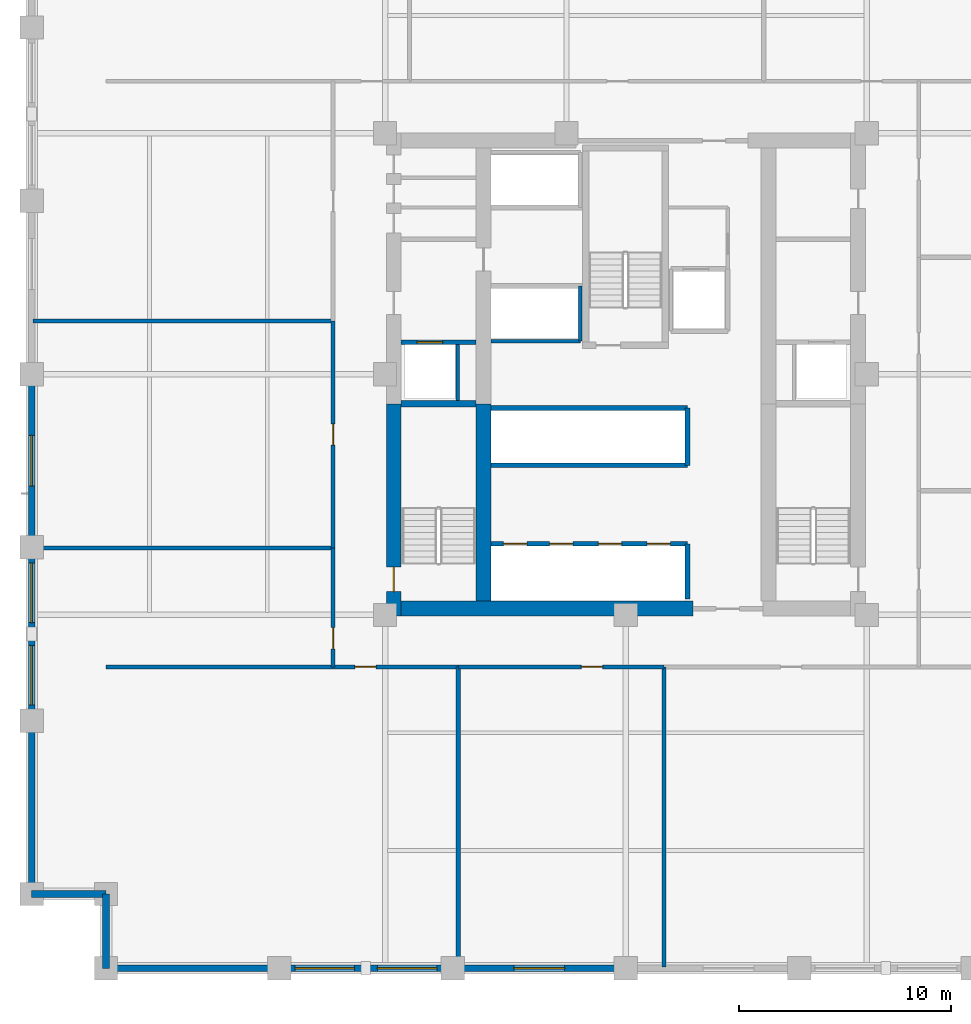
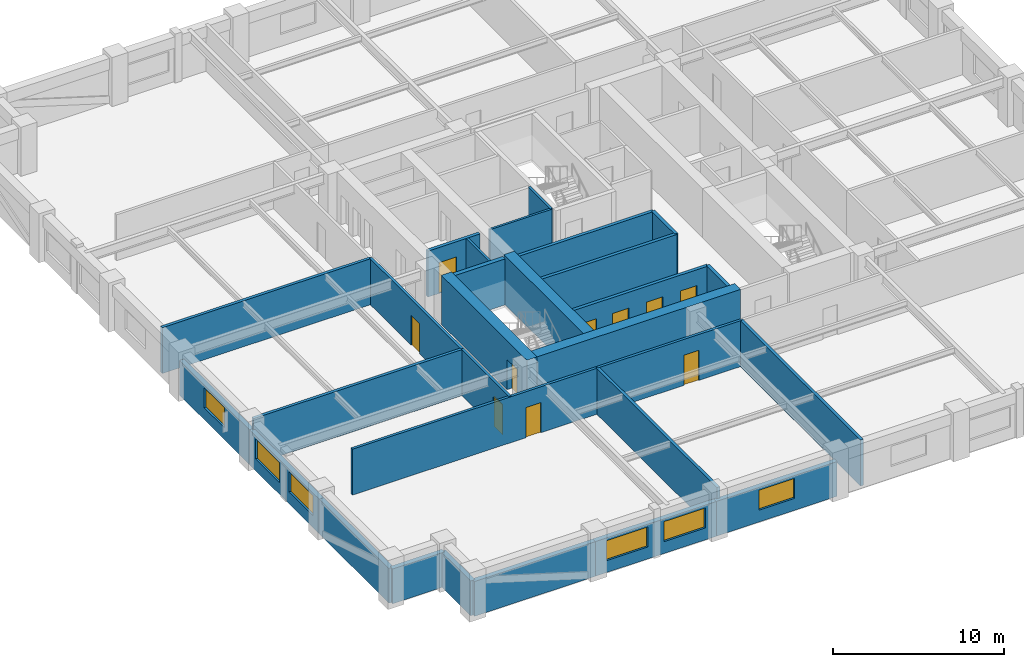
# One storey, part 7 of 13: 29 walls, 10 doors, 6 windows, 16 openings.
"""IFC4 building model written with IfcOpenShell, lengths in metres."""

import ifcopenshell
import ifcopenshell.guid

model = None  # the IFC model being written
_history = None  # IfcOwnerHistory: only IFC2X3 demands one
_inside = {}  # id of a spatial element -> (the spatial element, [elements in it])
_under = {}  # id of a project, library or spatial element -> (it, [spatial elements below it])
_declared = {}  # id of a project -> (the project, [libraries it declares])
_typed = {}  # id of a type object -> (the type object, [elements of that type])
_made_of = {}  # id of a material, layer set ... -> (it, [elements and type objects made of it])


def new_model(schema):
    """Start an empty IFC model of exactly this schema.

    Asked for "IFC4X3", IfcOpenShell would pick the latest addendum, in which some entities
    have other attributes; the version numbers below select the first issue.
    IFC2X3 requires an IfcOwnerHistory on every rooted entity: one is made here for all.
    """
    global model, _history
    if schema == "IFC4X3":
        model = ifcopenshell.file(schema_version=(4, 3, 0, 0))
    else:
        model = ifcopenshell.file(schema=schema)
    _inside.clear()
    _under.clear()
    _declared.clear()
    _typed.clear()
    _made_of.clear()
    _history = None
    if model.schema == "IFC2X3":
        org = make("IfcOrganization", Name="unknown")
        user = make(
            "IfcPersonAndOrganization",
            ThePerson=make("IfcPerson", FamilyName="unknown"),
            TheOrganization=org,
        )
        app = make(
            "IfcApplication",
            ApplicationDeveloper=org,
            Version="unknown",
            ApplicationFullName="unknown",
            ApplicationIdentifier="unknown",
        )
        _history = make(
            "IfcOwnerHistory",
            OwningUser=user,
            OwningApplication=app,
            ChangeAction="ADDED",
            CreationDate=0,
        )
    return model


def make(cls, **values):
    """One entity of the class cls with the attributes given. An attribute that is None is left unset."""
    return model.create_entity(
        cls, **{name: value for name, value in values.items() if value is not None}
    )


def rooted(cls, **values):
    """An entity with a GlobalId (a new one), such as an element, a storey or a relation."""
    return make(cls, GlobalId=ifcopenshell.guid.new(), OwnerHistory=_history, **values)


def si_unit(unit_type, name, prefix=None):
    """IfcSIUnit, for example si_unit("LENGTHUNIT", "METRE", prefix="MILLI")."""
    return make("IfcSIUnit", UnitType=unit_type, Prefix=prefix, Name=name)


def assignment(units):
    """IfcUnitAssignment: the units of a project."""
    return None if units is None else make("IfcUnitAssignment", Units=units)


def point(xyz):
    """IfcCartesianPoint."""
    return None if xyz is None else make("IfcCartesianPoint", Coordinates=xyz)


def direction(xyz):
    """IfcDirection."""
    return None if xyz is None else make("IfcDirection", DirectionRatios=xyz)


def frame(location, z_axis=None, x_axis=None):
    """IfcAxis2Placement3D, a coordinate frame: its origin and axes. An axis left out is left unset."""
    return make(
        "IfcAxis2Placement3D",
        Location=point(location),
        Axis=direction(z_axis),
        RefDirection=direction(x_axis),
    )


def frame_2d(location, x_axis=None):
    """IfcAxis2Placement2D, a coordinate frame in the plane: its origin and x axis."""
    return make(
        "IfcAxis2Placement2D", Location=point(location), RefDirection=direction(x_axis)
    )


def origin():
    """The frame at (0, 0, 0) with its axes left unset."""
    return frame((0.0, 0.0, 0.0))


def place(relative_to, where):
    """IfcLocalPlacement: puts the frame where relative to a parent placement (None: the world)."""
    return make(
        "IfcLocalPlacement", PlacementRelTo=relative_to, RelativePlacement=where
    )


def context(
    kind, dimensions, precision=None, world=None, true_north=None, identifier=None
):
    """IfcGeometricRepresentationContext, for example the 3D "Model" context."""
    return make(
        "IfcGeometricRepresentationContext",
        ContextIdentifier=identifier,
        ContextType=kind,
        CoordinateSpaceDimension=dimensions,
        Precision=precision,
        WorldCoordinateSystem=world,
        TrueNorth=true_north,
    )


def subcontext(parent, identifier, kind, view, scale=None):
    """IfcGeometricRepresentationSubContext, for example "Body" below "Model"."""
    return make(
        "IfcGeometricRepresentationSubContext",
        ContextIdentifier=identifier,
        ContextType=kind,
        ParentContext=parent,
        TargetScale=scale,
        TargetView=view,
    )


def project(units=None, contexts=None):
    """IfcProject with its units and contexts."""
    return rooted(
        "IfcProject",
        Name="project",
        RepresentationContexts=contexts,
        UnitsInContext=assignment(units),
    )


def spatial(cls, under=None, at=None, **own):
    """A site, building, storey or space (cls), placed at a placement, below another one or the project."""
    s = rooted(cls, ObjectPlacement=at, **own)
    if under is not None:
        _under.setdefault(under.id(), (under, []))[1].append(s)
    return s


def profile(cls, at=None, kind="AREA", **sizes):
    """A parametric profile (cls). Its sizes go by their IFC names, for example OverallWidth=200.0."""
    return make(cls, ProfileType=kind, Position=at, **sizes)


def rectangle(**sizes):
    """IfcRectangleProfileDef."""
    return profile("IfcRectangleProfileDef", **sizes)


def extrude(swept, where, along, depth):
    """IfcExtrudedAreaSolid: the profile swept, set in the frame where, extruded along a direction by depth."""
    return make(
        "IfcExtrudedAreaSolid",
        SweptArea=swept,
        Position=where,
        ExtrudedDirection=direction(along),
        Depth=depth,
    )


def shape(context_of_items, identifier, shape_type, items):
    """IfcShapeRepresentation: the items that make up one representation, for example the "Body"."""
    return make(
        "IfcShapeRepresentation",
        ContextOfItems=context_of_items,
        RepresentationIdentifier=identifier,
        RepresentationType=shape_type,
        Items=items,
    )


def material(Name=None, Category=None):
    """IfcMaterial."""
    return make("IfcMaterial", Name=Name, Category=Category)


def layer(
    of_material, thickness, ventilated=None, Name=None, Category=None, Priority=None
):
    """IfcMaterialLayer: one layer of a wall or slab, of a material (None: an air gap)."""
    return make(
        "IfcMaterialLayer",
        Material=of_material,
        LayerThickness=thickness,
        IsVentilated=ventilated,
        Name=Name,
        Category=Category,
        Priority=Priority,
    )


def layer_set(layers, Name=None):
    """IfcMaterialLayerSet."""
    return make("IfcMaterialLayerSet", MaterialLayers=layers, LayerSetName=Name)


def made_of(thing, what):
    """Note that an element or type object is made of a material, layer set ...; save() writes the relation."""
    if what is not None:
        _made_of.setdefault(what.id(), (what, []))[1].append(thing)
    return thing


def type_object(cls, material=None, **own):
    """A type object (cls), such as IfcWallType, which elements share."""
    return made_of(rooted(cls, **own), material)


def element(
    cls,
    number,
    at=None,
    inside=None,
    cuts=None,
    type_object=None,
    material=None,
    context=None,
    identifier="Body",
    shape_type=None,
    held_by="IfcProductDefinitionShape",
    body=None,
    shapes=None,
    **own,
):
    """One element of the class cls, such as IfcWall. Its Tag is "e" and its number.

    at: its placement. inside: the storey or other place that contains it. cuts: it is an
    opening in that element (IfcRelVoidsElement). A single representation is given by context,
    identifier, shape_type and body (its items); several are given by shapes. held_by: the class
    of the entity that holds the representations. save() writes the other relations.
    """
    e = rooted(cls, Tag="e%d" % number, ObjectPlacement=at, **own)
    if body is not None:
        shapes = [shape(context, identifier, shape_type, body)]
    if shapes is not None:
        e.Representation = make(held_by, Representations=shapes)
    if inside is not None:
        _inside.setdefault(inside.id(), (inside, []))[1].append(e)
    if cuts is not None:
        rooted(
            "IfcRelVoidsElement", RelatingBuildingElement=cuts, RelatedOpeningElement=e
        )
    if type_object is not None:
        _typed.setdefault(type_object.id(), (type_object, []))[1].append(e)
    return made_of(e, material)


def fill(opening, filler):
    """IfcRelFillsElement: the door or window that sits in an opening."""
    return rooted(
        "IfcRelFillsElement",
        RelatingOpeningElement=opening,
        RelatedBuildingElement=filler,
    )


def aggregate(whole, parts):
    """IfcRelAggregates: a whole, such as a stair, and the parts it consists of."""
    return rooted("IfcRelAggregates", RelatingObject=whole, RelatedObjects=parts)


def save(model, path):
    """Write the relations noted so far, then the file.

    IfcRelAggregates (storeys below a building ...), IfcRelContainedInSpatialStructure (elements
    in a storey), IfcRelDefinesByType, IfcRelAssociatesMaterial and IfcRelDeclares: one each for
    every whole, place, type object, material and project.
    """
    for whole, parts in _under.values():
        aggregate(whole, parts)
    for where, things in _inside.values():
        rooted(
            "IfcRelContainedInSpatialStructure",
            RelatedElements=things,
            RelatingStructure=where,
        )
    for kind, things in _typed.values():
        rooted("IfcRelDefinesByType", RelatedObjects=things, RelatingType=kind)
    for what, things in _made_of.values():
        rooted("IfcRelAssociatesMaterial", RelatedObjects=things, RelatingMaterial=what)
    for by, libraries in _declared.values():
        rooted("IfcRelDeclares", RelatingContext=by, RelatedDefinitions=libraries)
    model.write(path)


model = new_model("IFC4")

# Units and contexts
model_context = context("Model", 3, precision=1e-05, world=origin(), true_north=direction((0.0, 1.0)))
body_context = subcontext(model_context, "Body", "Model", "MODEL_VIEW")
ifc_project = project(units=[si_unit("LENGTHUNIT", "METRE"), si_unit("AREAUNIT", "SQUARE_METRE"), si_unit("VOLUMEUNIT", "CUBIC_METRE"), si_unit("PLANEANGLEUNIT", "RADIAN"), si_unit("MASSUNIT", "GRAM", prefix="KILO")], contexts=[model_context])

# Site, building, storey
site_placement = place(None, origin())
site = spatial("IfcSite", under=ifc_project, at=site_placement, CompositionType="ELEMENT")
building_placement = place(site_placement, origin())
building = spatial("IfcBuilding", under=site, at=building_placement, Name="Nhamokura Convention Tower", CompositionType="ELEMENT")
storey_placement = place(building_placement, frame((0.0, 0.0, 92.75)))
storey = spatial("IfcBuildingStorey", under=building, at=storey_placement, Name="L22", CompositionType="ELEMENT", Elevation=92.75)

# Wall
ifc_material_1 = material(Name="Bronze-pigmented precast concrete C45/55", Category="concrete")
ifc_layer_1 = layer(ifc_material_1, 0.320068359375)
ifc_layer_set_1 = layer_set([ifc_layer_1], Name="BronzePrecastSpandrel_320")
wall_type_1 = type_object("IfcWallType", Name="BronzePrecastSpandrel_320", PredefinedType="USERDEFINED", material=ifc_layer_set_1)
wall_1_placement = place(storey_placement, frame((15.666748046875, 4.0, 0.0), z_axis=(0.0, 0.0, 1.0), x_axis=(-1.0, 0.0, 0.0)))
element("IfcWall", 1, at=wall_1_placement, inside=storey, type_object=wall_type_1, Name="L22 Braced-Bay Precast Wall SOUTH 0", ObjectType="SPANDREL_WALL", PredefinedType="USERDEFINED", context=body_context, shape_type="SweptSolid", body=[
    extrude(rectangle(XDim=8.166748046875, YDim=0.320068359375, at=frame_2d((4.08349609375, 0.0))), origin(), (0.0, 0.0, 1.0), 2.47998046875),
])

# Wall, openings, windows
wall_2_placement = place(storey_placement, frame((23.833251953125, 4.0, 0.0), z_axis=(0.0, 0.0, 1.0), x_axis=(-1.0, 0.0, 0.0)))
wall_2 = element("IfcWall", 2, at=wall_2_placement, inside=storey, type_object=wall_type_1, Name="L22 Masonry-Frame Wall SOUTH 1", ObjectType="SPANDREL_WALL", PredefinedType="USERDEFINED", context=body_context, shape_type="SweptSolid", body=[
    extrude(rectangle(XDim=8.16650390625, YDim=0.320068359375, at=frame_2d((4.083251953125, 0.0))), origin(), (0.0, 0.0, 1.0), 2.47998046875),
])
opening_1_placement = place(wall_2_placement, frame((0.74169921875, 0.0, 0.85009765625)))
opening_1 = element("IfcOpeningElement", 3, at=opening_1_placement, cuts=wall_2, Name="Opening W-04", PredefinedType="OPENING", context=body_context, shape_type="SweptSolid", body=[
    extrude(rectangle(XDim=2.800048828125, YDim=1.429931640625, at=frame_2d((1.39990234375, 0.71484375))), frame((0.0, 0.169921875, 0.0), z_axis=(0.0, -1.0, 0.0), x_axis=(1.0, 0.0, 0.0)), (0.0, 0.0, 1.0), 0.340087890625),
])
opening_2_placement = place(wall_2_placement, frame((4.625, 0.0, 0.85009765625)))
opening_2 = element("IfcOpeningElement", 4, at=opening_2_placement, cuts=wall_2, Name="Opening W-04", PredefinedType="OPENING", context=body_context, shape_type="SweptSolid", body=[
    extrude(rectangle(XDim=2.800048828125, YDim=1.429931640625, at=frame_2d((1.39990234375, 0.71484375))), frame((0.0, 0.169921875, 0.0), z_axis=(0.0, -1.0, 0.0), x_axis=(1.0, 0.0, 0.0)), (0.0, 0.0, 1.0), 0.340087890625),
])
ifc_material_2 = material(Name="Solar-control bronze low-E double glass", Category="glass")
window_type_1 = type_object("IfcWindowType", Name="HotelSuiteWindow_2800", PartitioningType="DOUBLE_PANEL_VERTICAL", PredefinedType="WINDOW", material=ifc_material_2)
window_1_placement = place(opening_1_placement, origin())
window_1 = element("IfcWindow", 5, at=window_1_placement, inside=storey, type_object=window_type_1, Name="L22 Facade Window SOUTH 1-1", OverallHeight=1.429931640625, OverallWidth=2.800048828125, PartitioningType="SINGLE_PANEL", PredefinedType="WINDOW", context=body_context, shape_type="SweptSolid", body=[
    extrude(rectangle(XDim=2.800048828125, YDim=1.429931640625, at=frame_2d((1.39990234375, 0.71484375))), frame((0.0, 0.030029296875, 0.0), z_axis=(0.0, -1.0, 0.0), x_axis=(1.0, 0.0, 0.0)), (0.0, 0.0, 1.0), 0.06005859375),
])
fill(opening_1, window_1)
window_2_placement = place(opening_2_placement, origin())
window_2 = element("IfcWindow", 6, at=window_2_placement, inside=storey, type_object=window_type_1, Name="L22 Facade Window SOUTH 1-2", OverallHeight=1.429931640625, OverallWidth=2.800048828125, PartitioningType="SINGLE_PANEL", PredefinedType="WINDOW", context=body_context, shape_type="SweptSolid", body=[
    extrude(rectangle(XDim=2.800048828125, YDim=1.429931640625, at=frame_2d((1.39990234375, 0.71484375))), frame((0.0, 0.030029296875, 0.0), z_axis=(0.0, -1.0, 0.0), x_axis=(1.0, 0.0, 0.0)), (0.0, 0.0, 1.0), 0.06005859375),
])
fill(opening_2, window_2)

# Wall, opening, window
wall_3_placement = place(storey_placement, frame((32.0, 4.0, 0.0), z_axis=(0.0, 0.0, 1.0), x_axis=(-1.0, 0.0, 0.0)))
wall_3 = element("IfcWall", 7, at=wall_3_placement, inside=storey, type_object=wall_type_1, Name="L22 Masonry-Frame Wall SOUTH 2", ObjectType="SPANDREL_WALL", PredefinedType="USERDEFINED", context=body_context, shape_type="SweptSolid", body=[
    extrude(rectangle(XDim=8.166748046875, YDim=0.320068359375, at=frame_2d((4.08349609375, 0.0))), origin(), (0.0, 0.0, 1.0), 2.47998046875),
])
opening_3_placement = place(wall_3_placement, frame((2.88330078125, 0.0, 0.85009765625)))
opening_3 = element("IfcOpeningElement", 8, at=opening_3_placement, cuts=wall_3, Name="Opening W-03", PredefinedType="OPENING", context=body_context, shape_type="SweptSolid", body=[
    extrude(rectangle(XDim=2.39990234375, YDim=1.429931640625, at=frame_2d((1.199951171875, 0.71484375))), frame((0.0, 0.169921875, 0.0), z_axis=(0.0, -1.0, 0.0), x_axis=(1.0, 0.0, 0.0)), (0.0, 0.0, 1.0), 0.340087890625),
])
ifc_material_3 = material(Name="Solar-control bronze low-E double glass", Category="glass")
window_type_2 = type_object("IfcWindowType", Name="HotelBayWindow_2400", PartitioningType="DOUBLE_PANEL_VERTICAL", PredefinedType="WINDOW", material=ifc_material_3)
window_3_placement = place(opening_3_placement, origin())
window_3 = element("IfcWindow", 9, at=window_3_placement, inside=storey, type_object=window_type_2, Name="L22 Facade Window SOUTH 2", OverallHeight=1.429931640625, OverallWidth=2.39990234375, PartitioningType="SINGLE_PANEL", PredefinedType="WINDOW", context=body_context, shape_type="SweptSolid", body=[
    extrude(rectangle(XDim=2.39990234375, YDim=1.429931640625, at=frame_2d((1.199951171875, 0.71484375))), frame((0.0, 0.030029296875, 0.0), z_axis=(0.0, -1.0, 0.0), x_axis=(1.0, 0.0, 0.0)), (0.0, 0.0, 1.0), 0.06005859375),
])
fill(opening_3, window_3)

# Wall
wall_4_placement = place(storey_placement, frame((4.0, 7.5, 0.0), z_axis=(0.0, 0.0, 1.0), x_axis=(0.0, 1.0, 0.0)))
element("IfcWall", 10, at=wall_4_placement, inside=storey, type_object=wall_type_1, Name="L22 Braced-Bay Precast Wall WEST 0", ObjectType="SPANDREL_WALL", PredefinedType="USERDEFINED", context=body_context, shape_type="SweptSolid", body=[
    extrude(rectangle(XDim=8.166748046875, YDim=0.320068359375, at=frame_2d((4.08349609375, 0.0))), origin(), (0.0, 0.0, 1.0), 2.47998046875),
])

# Wall, openings, windows
wall_5_placement = place(storey_placement, frame((4.0, 15.666748046875, 0.0), z_axis=(0.0, 0.0, 1.0), x_axis=(0.0, 1.0, 0.0)))
wall_5 = element("IfcWall", 11, at=wall_5_placement, inside=storey, type_object=wall_type_1, Name="L22 Masonry-Frame Wall WEST 1", ObjectType="SPANDREL_WALL", PredefinedType="USERDEFINED", context=body_context, shape_type="SweptSolid", body=[
    extrude(rectangle(XDim=8.16650390625, YDim=0.320068359375, at=frame_2d((4.083251953125, 0.0))), origin(), (0.0, 0.0, 1.0), 2.47998046875),
])
opening_4_placement = place(wall_5_placement, frame((0.74169921875, 0.0, 0.85009765625)))
opening_4 = element("IfcOpeningElement", 12, at=opening_4_placement, cuts=wall_5, Name="Opening W-04", PredefinedType="OPENING", context=body_context, shape_type="SweptSolid", body=[
    extrude(rectangle(XDim=2.800048828125, YDim=1.429931640625, at=frame_2d((1.39990234375, 0.71484375))), frame((0.0, 0.169921875, 0.0), z_axis=(0.0, -1.0, 0.0), x_axis=(1.0, 0.0, 0.0)), (0.0, 0.0, 1.0), 0.340087890625),
])
opening_5_placement = place(wall_5_placement, frame((4.625, 0.0, 0.85009765625)))
opening_5 = element("IfcOpeningElement", 13, at=opening_5_placement, cuts=wall_5, Name="Opening W-04", PredefinedType="OPENING", context=body_context, shape_type="SweptSolid", body=[
    extrude(rectangle(XDim=2.800048828125, YDim=1.429931640625, at=frame_2d((1.39990234375, 0.71484375))), frame((0.0, 0.169921875, 0.0), z_axis=(0.0, -1.0, 0.0), x_axis=(1.0, 0.0, 0.0)), (0.0, 0.0, 1.0), 0.340087890625),
])
window_4_placement = place(opening_4_placement, origin())
window_4 = element("IfcWindow", 14, at=window_4_placement, inside=storey, type_object=window_type_1, Name="L22 Facade Window WEST 1-1", OverallHeight=1.429931640625, OverallWidth=2.800048828125, PartitioningType="SINGLE_PANEL", PredefinedType="WINDOW", context=body_context, shape_type="SweptSolid", body=[
    extrude(rectangle(XDim=2.800048828125, YDim=1.429931640625, at=frame_2d((1.39990234375, 0.71484375))), frame((0.0, 0.030029296875, 0.0), z_axis=(0.0, -1.0, 0.0), x_axis=(1.0, 0.0, 0.0)), (0.0, 0.0, 1.0), 0.06005859375),
])
fill(opening_4, window_4)
window_5_placement = place(opening_5_placement, origin())
window_5 = element("IfcWindow", 15, at=window_5_placement, inside=storey, type_object=window_type_1, Name="L22 Facade Window WEST 1-2", OverallHeight=1.429931640625, OverallWidth=2.800048828125, PartitioningType="SINGLE_PANEL", PredefinedType="WINDOW", context=body_context, shape_type="SweptSolid", body=[
    extrude(rectangle(XDim=2.800048828125, YDim=1.429931640625, at=frame_2d((1.39990234375, 0.71484375))), frame((0.0, 0.030029296875, 0.0), z_axis=(0.0, -1.0, 0.0), x_axis=(1.0, 0.0, 0.0)), (0.0, 0.0, 1.0), 0.06005859375),
])
fill(opening_5, window_5)

# Wall, opening, window
wall_6_placement = place(storey_placement, frame((4.0, 23.833251953125, 0.0), z_axis=(0.0, 0.0, 1.0), x_axis=(0.0, 1.0, 0.0)))
wall_6 = element("IfcWall", 16, at=wall_6_placement, inside=storey, type_object=wall_type_1, Name="L22 Masonry-Frame Wall WEST 2", ObjectType="SPANDREL_WALL", PredefinedType="USERDEFINED", context=body_context, shape_type="SweptSolid", body=[
    extrude(rectangle(XDim=8.166748046875, YDim=0.320068359375, at=frame_2d((4.08349609375, 0.0))), origin(), (0.0, 0.0, 1.0), 2.47998046875),
])
opening_6_placement = place(wall_6_placement, frame((2.88330078125, 0.0, 0.85009765625)))
opening_6 = element("IfcOpeningElement", 17, at=opening_6_placement, cuts=wall_6, Name="Opening W-03", PredefinedType="OPENING", context=body_context, shape_type="SweptSolid", body=[
    extrude(rectangle(XDim=2.39990234375, YDim=1.429931640625, at=frame_2d((1.199951171875, 0.71484375))), frame((0.0, 0.169921875, 0.0), z_axis=(0.0, -1.0, 0.0), x_axis=(1.0, 0.0, 0.0)), (0.0, 0.0, 1.0), 0.340087890625),
])
window_6_placement = place(opening_6_placement, origin())
window_6 = element("IfcWindow", 18, at=window_6_placement, inside=storey, type_object=window_type_2, Name="L22 Facade Window WEST 2", OverallHeight=1.429931640625, OverallWidth=2.39990234375, PartitioningType="SINGLE_PANEL", PredefinedType="WINDOW", context=body_context, shape_type="SweptSolid", body=[
    extrude(rectangle(XDim=2.39990234375, YDim=1.429931640625, at=frame_2d((1.199951171875, 0.71484375))), frame((0.0, 0.030029296875, 0.0), z_axis=(0.0, -1.0, 0.0), x_axis=(1.0, 0.0, 0.0)), (0.0, 0.0, 1.0), 0.06005859375),
])
fill(opening_6, window_6)

# Walls
for number, where, z_axis, x_axis, name in (
    (19, (7.5, 4.0, 0.0), (0.0, 0.0, 1.0), (0.0, 1.0, 0.0), "L22 Notched Corner Wall SW1"),
    (20, (7.5, 7.5, 0.0), (0.0, 0.0, 1.0), (-1.0, 0.0, 0.0), "L22 Notched Corner Wall SW2"),
):
    element("IfcWall", number, at=place(storey_placement, frame(where, z_axis=z_axis, x_axis=x_axis)), inside=storey, type_object=wall_type_1, Name=name, ObjectType="SPANDREL_WALL", PredefinedType="USERDEFINED", context=body_context, shape_type="SweptSolid", body=[
        extrude(rectangle(XDim=3.5, YDim=0.320068359375, at=frame_2d((1.75, 0.0))), origin(), (0.0, 0.0, 1.0), 2.47998046875),
    ])

# Wall, opening, door
ifc_material_4 = material(Name="Concrete C70/85", Category="concrete")
ifc_layer_2 = layer(ifc_material_4, 0.699951171875)
ifc_layer_set_2 = layer_set([ifc_layer_2], Name="CoreShearWall_700")
wall_type_2 = type_object("IfcWallType", Name="CoreShearWall_700", PredefinedType="SHEAR", material=ifc_layer_set_2)
wall_7_placement = place(storey_placement, frame((21.06005859375, 20.60009765625, 0.0), z_axis=(0.0, 0.0, 1.0), x_axis=(0.0, 1.0, 0.0)))
wall_7 = element("IfcWall", 21, at=wall_7_placement, inside=storey, type_object=wall_type_2, Name="L22 Core Shear Wall CW-WS", PredefinedType="SHEAR", context=body_context, shape_type="SweptSolid", body=[
    extrude(rectangle(XDim=10.0, YDim=0.699951171875, at=frame_2d((5.0, 0.0))), origin(), (0.0, 0.0, 1.0), 3.5),
])
opening_7_placement = place(wall_7_placement, frame((1.14990234375, 0.0, 0.0)))
opening_7 = element("IfcOpeningElement", 22, at=opening_7_placement, cuts=wall_7, Name="Opening D-04", PredefinedType="OPENING", context=body_context, shape_type="SweptSolid", body=[
    extrude(rectangle(XDim=1.14990234375, YDim=2.14990234375, at=frame_2d((0.574951171875, 1.074951171875))), frame((0.0, 0.35986328125, 0.0), z_axis=(0.0, -1.0, 0.0), x_axis=(1.0, 0.0, 0.0)), (0.0, 0.0, 1.0), 0.719970703125),
])
ifc_material_5 = material(Name="Fire-rated steel door", Category="steel")
door_type_1 = type_object("IfcDoorType", Name="StairSmokeDoor_1150", OperationType="NOTDEFINED", PredefinedType="DOOR", material=ifc_material_5)
door_1_placement = place(opening_7_placement, origin())
door_1 = element("IfcDoor", 23, at=door_1_placement, inside=storey, type_object=door_type_1, Name="L22 Core Door INT-L22-D-ST01", OperationType="SINGLE_SWING_LEFT", OverallHeight=2.14990234375, OverallWidth=1.14990234375, PredefinedType="DOOR", context=body_context, shape_type="SweptSolid", body=[
    extrude(rectangle(XDim=1.14990234375, YDim=2.14990234375, at=frame_2d((0.574951171875, 1.074951171875))), frame((0.0, 0.02490234375, 0.0), z_axis=(0.0, -1.0, 0.0), x_axis=(1.0, 0.0, 0.0)), (0.0, 0.0, 1.0), 0.050048828125),
])
fill(opening_7, door_1)

# Walls
wall_8_placement = place(storey_placement, frame((21.409912109375, 20.949951171875, 0.0), z_axis=(0.0, 0.0, 1.0), x_axis=(1.0, 0.0, 0.0)))
element("IfcWall", 24, at=wall_8_placement, inside=storey, type_object=wall_type_2, Name="L22 Core Shear Wall CW-S1", PredefinedType="SHEAR", context=body_context, shape_type="SweptSolid", body=[
    extrude(rectangle(XDim=13.739990234375, YDim=0.699951171875, at=frame_2d((6.8701171875, 0.0))), origin(), (0.0, 0.0, 1.0), 3.5),
])
wall_9_placement = place(storey_placement, frame((25.2900390625, 21.300048828125, 0.0), z_axis=(0.0, 0.0, 1.0), x_axis=(0.0, 1.0, 0.0)))
element("IfcWall", 25, at=wall_9_placement, inside=storey, type_object=wall_type_2, Name="L22 Core Shear Wall CW-IWS", PredefinedType="SHEAR", context=body_context, shape_type="SweptSolid", body=[
    extrude(rectangle(XDim=9.300048828125, YDim=0.699951171875, at=frame_2d((4.64990234375, 0.0))), origin(), (0.0, 0.0, 1.0), 3.5),
])

# Wall, opening, door
ifc_material_6 = material(Name="Fire-rated gypsum and masonry partition", Category="masonry")
ifc_layer_3 = layer(ifc_material_6, 0.179931640625)
ifc_layer_set_3 = layer_set([ifc_layer_3], Name="CorridorRatedWall_180")
wall_type_3 = type_object("IfcWallType", Name="CorridorRatedWall_180", PredefinedType="STANDARD", material=ifc_layer_set_3)
wall_10_placement = place(storey_placement, frame((7.5, 18.199951171875, 0.0), z_axis=(0.0, 0.0, 1.0), x_axis=(1.0, 0.0, 0.0)))
wall_10 = element("IfcWall", 26, at=wall_10_placement, inside=storey, type_object=wall_type_3, Name="L22 Wall INT-L22-CW-S00", PredefinedType="STANDARD", context=body_context, shape_type="SweptSolid", body=[
    extrude(rectangle(XDim=16.60009765625, YDim=0.179931640625, at=frame_2d((8.300048828125, 0.0))), origin(), (0.0, 0.0, 1.0), 3.280029296875),
])
opening_8_placement = place(wall_10_placement, frame((11.72509765625, 0.0, 0.0)))
opening_8 = element("IfcOpeningElement", 27, at=opening_8_placement, cuts=wall_10, Name="Opening D-07", PredefinedType="OPENING", context=body_context, shape_type="SweptSolid", body=[
    extrude(rectangle(XDim=1.0, YDim=2.14990234375, at=frame_2d((0.5, 1.074951171875))), frame((0.0, 0.099853515625, 0.0), z_axis=(0.0, -1.0, 0.0), x_axis=(1.0, 0.0, 0.0)), (0.0, 0.0, 1.0), 0.199951171875),
])
ifc_material_7 = material(Name="Solid oak hardwood", Category="wood")
door_type_2 = type_object("IfcDoorType", Name="HotelSuiteEntryDoor_1000", OperationType="NOTDEFINED", PredefinedType="DOOR", material=ifc_material_7)
door_2_placement = place(opening_8_placement, origin())
door_2 = element("IfcDoor", 28, at=door_2_placement, inside=storey, type_object=door_type_2, Name="L22 Conference Salon S01 Door", OperationType="SINGLE_SWING_LEFT", OverallHeight=2.14990234375, OverallWidth=1.0, PredefinedType="DOOR", context=body_context, shape_type="SweptSolid", body=[
    extrude(rectangle(XDim=1.0, YDim=2.14990234375, at=frame_2d((0.5, 1.074951171875))), frame((0.0, 0.02490234375, 0.0), z_axis=(0.0, -1.0, 0.0), x_axis=(1.0, 0.0, 0.0)), (0.0, 0.0, 1.0), 0.050048828125),
])
fill(opening_8, door_2)

wall_11_placement = place(storey_placement, frame((24.10009765625, 18.199951171875, 0.0), z_axis=(0.0, 0.0, 1.0), x_axis=(1.0, 0.0, 0.0)))
wall_11 = element("IfcWall", 29, at=wall_11_placement, inside=storey, type_object=wall_type_3, Name="L22 Wall INT-L22-CW-S01", PredefinedType="STANDARD", context=body_context, shape_type="SweptSolid", body=[
    extrude(rectangle(XDim=9.699951171875, YDim=0.179931640625, at=frame_2d((4.85009765625, 0.0))), origin(), (0.0, 0.0, 1.0), 3.280029296875),
])
opening_9_placement = place(wall_11_placement, frame((5.800048828125, 0.0, 0.0)))
opening_9 = element("IfcOpeningElement", 30, at=opening_9_placement, cuts=wall_11, Name="Opening D-07", PredefinedType="OPENING", context=body_context, shape_type="SweptSolid", body=[
    extrude(rectangle(XDim=1.0, YDim=2.14990234375, at=frame_2d((0.5, 1.074951171875))), frame((0.0, 0.099853515625, 0.0), z_axis=(0.0, -1.0, 0.0), x_axis=(1.0, 0.0, 0.0)), (0.0, 0.0, 1.0), 0.199951171875),
])
door_3_placement = place(opening_9_placement, origin())
door_3 = element("IfcDoor", 31, at=door_3_placement, inside=storey, type_object=door_type_2, Name="L22 Security Office S02 Door", OperationType="SINGLE_SWING_RIGHT", OverallHeight=2.14990234375, OverallWidth=1.0, PredefinedType="DOOR", context=body_context, shape_type="SweptSolid", body=[
    extrude(rectangle(XDim=1.0, YDim=2.14990234375, at=frame_2d((0.5, 1.074951171875))), frame((0.0, 0.02490234375, 0.0), z_axis=(0.0, -1.0, 0.0), x_axis=(1.0, 0.0, 0.0)), (0.0, 0.0, 1.0), 0.050048828125),
])
fill(opening_9, door_3)

wall_12_placement = place(storey_placement, frame((18.199951171875, 18.199951171875, 0.0), z_axis=(0.0, 0.0, 1.0), x_axis=(0.0, 1.0, 0.0)))
wall_12 = element("IfcWall", 32, at=wall_12_placement, inside=storey, type_object=wall_type_3, Name="L22 Wall INT-L22-CW-W00", PredefinedType="STANDARD", context=body_context, shape_type="SweptSolid", body=[
    extrude(rectangle(XDim=5.60009765625, YDim=0.179931640625, at=frame_2d((2.800048828125, 0.0))), origin(), (0.0, 0.0, 1.0), 3.280029296875),
])
opening_10_placement = place(wall_12_placement, frame((0.85009765625, 0.0, 0.0)))
opening_10 = element("IfcOpeningElement", 33, at=opening_10_placement, cuts=wall_12, Name="Opening D-07", PredefinedType="OPENING", context=body_context, shape_type="SweptSolid", body=[
    extrude(rectangle(XDim=1.0, YDim=2.14990234375, at=frame_2d((0.5, 1.074951171875))), frame((0.0, 0.099853515625, 0.0), z_axis=(0.0, -1.0, 0.0), x_axis=(1.0, 0.0, 0.0)), (0.0, 0.0, 1.0), 0.199951171875),
])
door_4_placement = place(opening_10_placement, origin())
door_4 = element("IfcDoor", 34, at=door_4_placement, inside=storey, type_object=door_type_2, Name="L22 Meeting Room W01 Door", OperationType="SINGLE_SWING_LEFT", OverallHeight=2.14990234375, OverallWidth=1.0, PredefinedType="DOOR", context=body_context, shape_type="SweptSolid", body=[
    extrude(rectangle(XDim=1.0, YDim=2.14990234375, at=frame_2d((0.5, 1.074951171875))), frame((0.0, 0.02490234375, 0.0), z_axis=(0.0, -1.0, 0.0), x_axis=(1.0, 0.0, 0.0)), (0.0, 0.0, 1.0), 0.050048828125),
])
fill(opening_10, door_4)

wall_13_placement = place(storey_placement, frame((18.199951171875, 23.800048828125, 0.0), z_axis=(0.0, 0.0, 1.0), x_axis=(0.0, 1.0, 0.0)))
wall_13 = element("IfcWall", 35, at=wall_13_placement, inside=storey, type_object=wall_type_3, Name="L22 Wall INT-L22-CW-W01", PredefinedType="STANDARD", context=body_context, shape_type="SweptSolid", body=[
    extrude(rectangle(XDim=10.699951171875, YDim=0.179931640625, at=frame_2d((5.35009765625, 0.0))), origin(), (0.0, 0.0, 1.0), 3.280029296875),
])
opening_11_placement = place(wall_13_placement, frame((4.85009765625, 0.0, 0.0)))
opening_11 = element("IfcOpeningElement", 36, at=opening_11_placement, cuts=wall_13, Name="Opening D-07", PredefinedType="OPENING", context=body_context, shape_type="SweptSolid", body=[
    extrude(rectangle(XDim=1.0, YDim=2.14990234375, at=frame_2d((0.5, 1.074951171875))), frame((0.0, 0.099853515625, 0.0), z_axis=(0.0, -1.0, 0.0), x_axis=(1.0, 0.0, 0.0)), (0.0, 0.0, 1.0), 0.199951171875),
])
door_5_placement = place(opening_11_placement, origin())
door_5 = element("IfcDoor", 37, at=door_5_placement, inside=storey, type_object=door_type_2, Name="L22 Conference Salon W02 Door", OperationType="SINGLE_SWING_RIGHT", OverallHeight=2.14990234375, OverallWidth=1.0, PredefinedType="DOOR", context=body_context, shape_type="SweptSolid", body=[
    extrude(rectangle(XDim=1.0, YDim=2.14990234375, at=frame_2d((0.5, 1.074951171875))), frame((0.0, 0.02490234375, 0.0), z_axis=(0.0, -1.0, 0.0), x_axis=(1.0, 0.0, 0.0)), (0.0, 0.0, 1.0), 0.050048828125),
])
fill(opening_11, door_5)

ifc_material_8 = material(Name="Autoclaved concrete blockwork", Category="masonry")
ifc_layer_4 = layer(ifc_material_8, 0.219970703125)
ifc_layer_set_4 = layer_set([ifc_layer_4], Name="FireLobbyWall_220")
wall_type_4 = type_object("IfcWallType", Name="FireLobbyWall_220", PredefinedType="STANDARD", material=ifc_layer_set_4)
wall_14_placement = place(storey_placement, frame((21.409912109375, 33.5, 0.0), z_axis=(0.0, 0.0, 1.0), x_axis=(1.0, 0.0, 0.0)))
wall_14 = element("IfcWall", 38, at=wall_14_placement, inside=storey, type_object=wall_type_4, Name="L22 Wall INT-L22-FFW-S", PredefinedType="STANDARD", context=body_context, shape_type="SweptSolid", body=[
    extrude(rectangle(XDim=3.530029296875, YDim=0.219970703125, at=frame_2d((1.76513671875, 0.0))), origin(), (0.0, 0.0, 1.0), 3.280029296875),
])
opening_12_placement = place(wall_14_placement, frame((0.75, 0.0, 0.0)))
opening_12 = element("IfcOpeningElement", 39, at=opening_12_placement, cuts=wall_14, Name="Opening LD-02", PredefinedType="OPENING", context=body_context, shape_type="SweptSolid", body=[
    extrude(rectangle(XDim=1.199951171875, YDim=2.199951171875, at=frame_2d((0.60009765625, 1.10009765625))), frame((0.0, 0.119873046875, 0.0), z_axis=(0.0, -1.0, 0.0), x_axis=(1.0, 0.0, 0.0)), (0.0, 0.0, 1.0), 0.239990234375),
])
ifc_material_9 = material(Name="Anodised bronze stainless steel", Category="steel")
door_type_3 = type_object("IfcDoorType", Name="LiftLandingDoor_FireService", OperationType="DOUBLE_DOOR_SLIDING", PredefinedType="DOOR", material=ifc_material_9)
door_6_placement = place(opening_12_placement, origin())
door_6 = element("IfcDoor", 40, at=door_6_placement, inside=storey, type_object=door_type_3, Name="L22 Firefighting Lift LF-01 Door", OperationType="DOUBLE_DOOR_SLIDING", OverallHeight=2.199951171875, OverallWidth=1.199951171875, PredefinedType="DOOR", context=body_context, shape_type="SweptSolid", body=[
    extrude(rectangle(XDim=1.199951171875, YDim=2.199951171875, at=frame_2d((0.60009765625, 1.10009765625))), frame((0.0, 0.02490234375, 0.0), z_axis=(0.0, -1.0, 0.0), x_axis=(1.0, 0.0, 0.0)), (0.0, 0.0, 1.0), 0.050048828125),
])
fill(opening_12, door_6)

# Wall, openings, doors
wall_15_placement = place(storey_placement, frame((25.64990234375, 24.0, 0.0), z_axis=(0.0, 0.0, 1.0), x_axis=(1.0, 0.0, 0.0)))
wall_15 = element("IfcWall", 41, at=wall_15_placement, inside=storey, type_object=wall_type_4, Name="L22 Wall INT-L22-B1N", PredefinedType="STANDARD", context=body_context, shape_type="SweptSolid", body=[
    extrude(rectangle(XDim=9.25, YDim=0.219970703125, at=frame_2d((4.625, 0.0))), origin(), (0.0, 0.0, 1.0), 3.280029296875),
])
opening_13_placement = place(wall_15_placement, frame((0.580078125, 0.0, 0.0)))
opening_13 = element("IfcOpeningElement", 42, at=opening_13_placement, cuts=wall_15, Name="Opening LD-01", PredefinedType="OPENING", context=body_context, shape_type="SweptSolid", body=[
    extrude(rectangle(XDim=1.10009765625, YDim=2.14990234375, at=frame_2d((0.550048828125, 1.074951171875))), frame((0.0, 0.119873046875, 0.0), z_axis=(0.0, -1.0, 0.0), x_axis=(1.0, 0.0, 0.0)), (0.0, 0.0, 1.0), 0.239990234375),
])
opening_14_placement = place(wall_15_placement, frame((2.75, 0.0, 0.0)))
opening_14 = element("IfcOpeningElement", 43, at=opening_14_placement, cuts=wall_15, Name="Opening LD-01", PredefinedType="OPENING", context=body_context, shape_type="SweptSolid", body=[
    extrude(rectangle(XDim=1.10009765625, YDim=2.14990234375, at=frame_2d((0.550048828125, 1.074951171875))), frame((0.0, 0.119873046875, 0.0), z_axis=(0.0, -1.0, 0.0), x_axis=(1.0, 0.0, 0.0)), (0.0, 0.0, 1.0), 0.239990234375),
])
opening_15_placement = place(wall_15_placement, frame((5.050048828125, 0.0, 0.0)))
opening_15 = element("IfcOpeningElement", 44, at=opening_15_placement, cuts=wall_15, Name="Opening LD-01", PredefinedType="OPENING", context=body_context, shape_type="SweptSolid", body=[
    extrude(rectangle(XDim=1.10009765625, YDim=2.14990234375, at=frame_2d((0.550048828125, 1.074951171875))), frame((0.0, 0.119873046875, 0.0), z_axis=(0.0, -1.0, 0.0), x_axis=(1.0, 0.0, 0.0)), (0.0, 0.0, 1.0), 0.239990234375),
])
opening_16_placement = place(wall_15_placement, frame((7.35009765625, 0.0, 0.0)))
opening_16 = element("IfcOpeningElement", 45, at=opening_16_placement, cuts=wall_15, Name="Opening LD-01", PredefinedType="OPENING", context=body_context, shape_type="SweptSolid", body=[
    extrude(rectangle(XDim=1.10009765625, YDim=2.14990234375, at=frame_2d((0.550048828125, 1.074951171875))), frame((0.0, 0.119873046875, 0.0), z_axis=(0.0, -1.0, 0.0), x_axis=(1.0, 0.0, 0.0)), (0.0, 0.0, 1.0), 0.239990234375),
])
ifc_material_10 = material(Name="Anodised bronze stainless steel", Category="steel")
door_type_4 = type_object("IfcDoorType", Name="LiftLandingDoor_Passenger", OperationType="DOUBLE_DOOR_SLIDING", PredefinedType="DOOR", material=ifc_material_10)
door_7_placement = place(opening_13_placement, origin())
door_7 = element("IfcDoor", 46, at=door_7_placement, inside=storey, type_object=door_type_4, Name="L22 Lift LP-01 Landing Door", OperationType="DOUBLE_DOOR_SLIDING", OverallHeight=2.14990234375, OverallWidth=1.10009765625, PredefinedType="DOOR", context=body_context, shape_type="SweptSolid", body=[
    extrude(rectangle(XDim=1.10009765625, YDim=2.14990234375, at=frame_2d((0.550048828125, 1.074951171875))), frame((0.0, 0.02490234375, 0.0), z_axis=(0.0, -1.0, 0.0), x_axis=(1.0, 0.0, 0.0)), (0.0, 0.0, 1.0), 0.050048828125),
])
fill(opening_13, door_7)
door_8_placement = place(opening_14_placement, origin())
door_8 = element("IfcDoor", 47, at=door_8_placement, inside=storey, type_object=door_type_4, Name="L22 Lift LP-02 Landing Door", OperationType="DOUBLE_DOOR_SLIDING", OverallHeight=2.14990234375, OverallWidth=1.10009765625, PredefinedType="DOOR", context=body_context, shape_type="SweptSolid", body=[
    extrude(rectangle(XDim=1.10009765625, YDim=2.14990234375, at=frame_2d((0.550048828125, 1.074951171875))), frame((0.0, 0.02490234375, 0.0), z_axis=(0.0, -1.0, 0.0), x_axis=(1.0, 0.0, 0.0)), (0.0, 0.0, 1.0), 0.050048828125),
])
fill(opening_14, door_8)
door_9_placement = place(opening_15_placement, origin())
door_9 = element("IfcDoor", 48, at=door_9_placement, inside=storey, type_object=door_type_4, Name="L22 Lift LP-03 Landing Door", OperationType="DOUBLE_DOOR_SLIDING", OverallHeight=2.14990234375, OverallWidth=1.10009765625, PredefinedType="DOOR", context=body_context, shape_type="SweptSolid", body=[
    extrude(rectangle(XDim=1.10009765625, YDim=2.14990234375, at=frame_2d((0.550048828125, 1.074951171875))), frame((0.0, 0.02490234375, 0.0), z_axis=(0.0, -1.0, 0.0), x_axis=(1.0, 0.0, 0.0)), (0.0, 0.0, 1.0), 0.050048828125),
])
fill(opening_15, door_9)
door_10_placement = place(opening_16_placement, origin())
door_10 = element("IfcDoor", 49, at=door_10_placement, inside=storey, type_object=door_type_4, Name="L22 Lift LP-04 Landing Door", OperationType="DOUBLE_DOOR_SLIDING", OverallHeight=2.14990234375, OverallWidth=1.10009765625, PredefinedType="DOOR", context=body_context, shape_type="SweptSolid", body=[
    extrude(rectangle(XDim=1.10009765625, YDim=2.14990234375, at=frame_2d((0.550048828125, 1.074951171875))), frame((0.0, 0.02490234375, 0.0), z_axis=(0.0, -1.0, 0.0), x_axis=(1.0, 0.0, 0.0)), (0.0, 0.0, 1.0), 0.050048828125),
])
fill(opening_16, door_10)

# Walls
wall_16_placement = place(storey_placement, frame((34.89990234375, 21.39990234375, 0.0), z_axis=(0.0, 0.0, 1.0), x_axis=(0.0, 1.0, 0.0)))
element("IfcWall", 50, at=wall_16_placement, inside=storey, type_object=wall_type_4, Name="L22 Wall INT-L22-B1E", PredefinedType="STANDARD", context=body_context, shape_type="SweptSolid", body=[
    extrude(rectangle(XDim=2.60009765625, YDim=0.219970703125, at=frame_2d((1.300048828125, 0.0))), origin(), (0.0, 0.0, 1.0), 3.280029296875),
])
for number, where, z_axis, x_axis, name in (
    (51, (25.64990234375, 27.699951171875, 0.0), (0.0, 0.0, 1.0), (1.0, 0.0, 0.0), "L22 Wall INT-L22-B2S"),
    (52, (25.64990234375, 30.39990234375, 0.0), (0.0, 0.0, 1.0), (1.0, 0.0, 0.0), "L22 Wall INT-L22-B2N"),
):
    element("IfcWall", number, at=place(storey_placement, frame(where, z_axis=z_axis, x_axis=x_axis)), inside=storey, type_object=wall_type_4, Name=name, PredefinedType="STANDARD", context=body_context, shape_type="SweptSolid", body=[
        extrude(rectangle(XDim=9.25, YDim=0.219970703125, at=frame_2d((4.625, 0.0))), origin(), (0.0, 0.0, 1.0), 3.280029296875),
    ])
wall_17_placement = place(storey_placement, frame((34.89990234375, 27.699951171875, 0.0), z_axis=(0.0, 0.0, 1.0), x_axis=(0.0, 1.0, 0.0)))
element("IfcWall", 53, at=wall_17_placement, inside=storey, type_object=wall_type_4, Name="L22 Wall INT-L22-B2E", PredefinedType="STANDARD", context=body_context, shape_type="SweptSolid", body=[
    extrude(rectangle(XDim=2.699951171875, YDim=0.219970703125, at=frame_2d((1.35009765625, 0.0))), origin(), (0.0, 0.0, 1.0), 3.280029296875),
])
ifc_material_11 = material(Name="Acoustic twin-stud gypsum partition", Category="masonry")
ifc_layer_5 = layer(ifc_material_11, 0.199951171875)
ifc_layer_set_5 = layer_set([ifc_layer_5], Name="HotelDemisingWall_200")
wall_type_5 = type_object("IfcWallType", Name="HotelDemisingWall_200", PredefinedType="STANDARD", material=ifc_layer_set_5)
for number, where, z_axis, x_axis, name in (
    (54, (24.10009765625, 4.06005859375, 0.0), (0.0, 0.0, 1.0), (0.0, 1.0, 0.0), "L22 Wall INT-L22-RW-S01"),
    (55, (33.800048828125, 4.06005859375, 0.0), (0.0, 0.0, 1.0), (0.0, 1.0, 0.0), "L22 Wall INT-L22-RW-S02"),
    (56, (4.06005859375, 23.800048828125, 0.0), (0.0, 0.0, 1.0), (1.0, 0.0, 0.0), "L22 Wall INT-L22-RW-W01"),
    (57, (4.06005859375, 34.5, 0.0), (0.0, 0.0, 1.0), (1.0, 0.0, 0.0), "L22 Wall INT-L22-RW-W02"),
):
    element("IfcWall", number, at=place(storey_placement, frame(where, z_axis=z_axis, x_axis=x_axis)), inside=storey, type_object=wall_type_5, Name=name, PredefinedType="STANDARD", context=body_context, shape_type="SweptSolid", body=[
        extrude(rectangle(XDim=14.139892578125, YDim=0.199951171875, at=frame_2d((7.06982421875, 0.0))), origin(), (0.0, 0.0, 1.0), 3.280029296875),
    ])
ifc_material_12 = material(Name="Acoustic gypsum stud partition", Category="masonry")
ifc_layer_6 = layer(ifc_material_12, 0.14990234375)
ifc_layer_set_6 = layer_set([ifc_layer_6], Name="InteriorPartition_150")
wall_type_6 = type_object("IfcWallType", Name="InteriorPartition_150", PredefinedType="STANDARD", material=ifc_layer_set_6)
wall_18_placement = place(storey_placement, frame((24.080078125, 30.75, 0.0), z_axis=(0.0, 0.0, 1.0), x_axis=(0.0, 1.0, 0.0)))
element("IfcWall", 58, at=wall_18_placement, inside=storey, type_object=wall_type_6, Name="L22 Wall INT-L22-FF1-E", PredefinedType="STANDARD", context=body_context, shape_type="SweptSolid", body=[
    extrude(rectangle(XDim=2.64990234375, YDim=0.14990234375, at=frame_2d((1.324951171875, 0.0))), origin(), (0.0, 0.0, 1.0), 3.280029296875),
])
wall_19_placement = place(storey_placement, frame((25.64990234375, 33.550048828125, 0.0), z_axis=(0.0, 0.0, 1.0), x_axis=(1.0, 0.0, 0.0)))
element("IfcWall", 59, at=wall_19_placement, inside=storey, type_object=wall_type_6, Name="L22 Wall INT-L22-B3A-S", PredefinedType="STANDARD", context=body_context, shape_type="SweptSolid", body=[
    extrude(rectangle(XDim=4.2001953125, YDim=0.14990234375, at=frame_2d((2.10009765625, 0.0))), origin(), (0.0, 0.0, 1.0), 3.280029296875),
])
wall_20_placement = place(storey_placement, frame((29.85009765625, 33.550048828125, 0.0), z_axis=(0.0, 0.0, 1.0), x_axis=(0.0, 1.0, 0.0)))
element("IfcWall", 60, at=wall_20_placement, inside=storey, type_object=wall_type_6, Name="L22 Wall INT-L22-B3A-E", PredefinedType="STANDARD", context=body_context, shape_type="SweptSolid", body=[
    extrude(rectangle(XDim=2.599853515625, YDim=0.14990234375, at=frame_2d((1.2998046875, 0.0))), origin(), (0.0, 0.0, 1.0), 3.280029296875),
])
ifc_material_13 = material(Name="Concrete C50/60", Category="concrete")
ifc_layer_7 = layer(ifc_material_13, 0.300048828125)
ifc_layer_set_7 = layer_set([ifc_layer_7], Name="ShaftEnclosureWall_300")
wall_type_7 = type_object("IfcWallType", Name="ShaftEnclosureWall_300", PredefinedType="SHEAR", material=ifc_layer_set_7)
wall_21_placement = place(storey_placement, frame((21.409912109375, 30.60009765625, 0.0), z_axis=(0.0, 0.0, 1.0), x_axis=(1.0, 0.0, 0.0)))
element("IfcWall", 61, at=wall_21_placement, inside=storey, type_object=wall_type_7, Name="L22 Wall INT-L22-ST01-N", PredefinedType="SHEAR", context=body_context, shape_type="SweptSolid", body=[
    extrude(rectangle(XDim=3.530029296875, YDim=0.300048828125, at=frame_2d((1.76513671875, 0.0))), origin(), (0.0, 0.0, 1.0), 3.280029296875),
])

save(model, "model.ifc")
